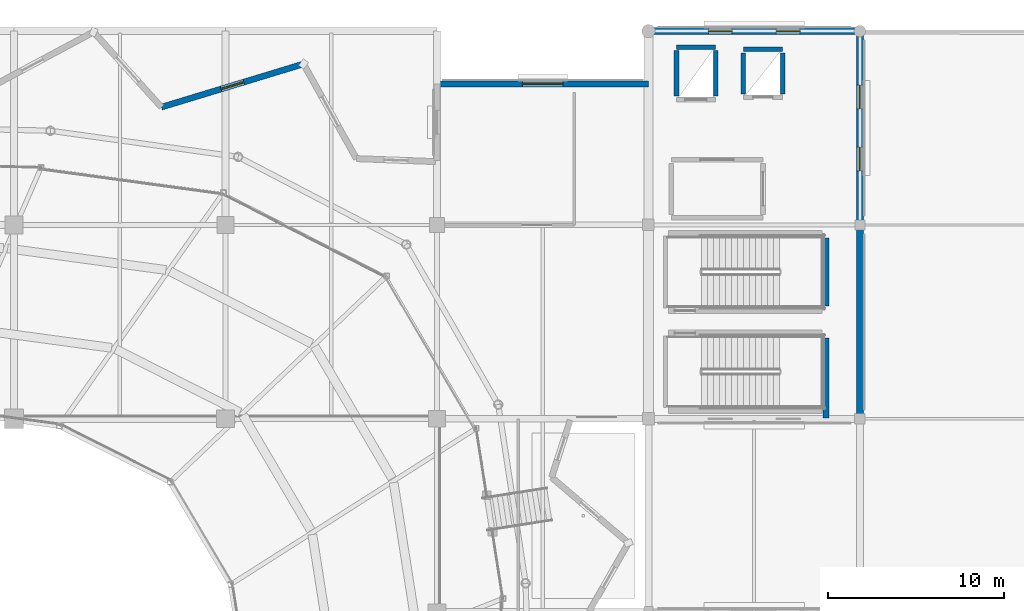
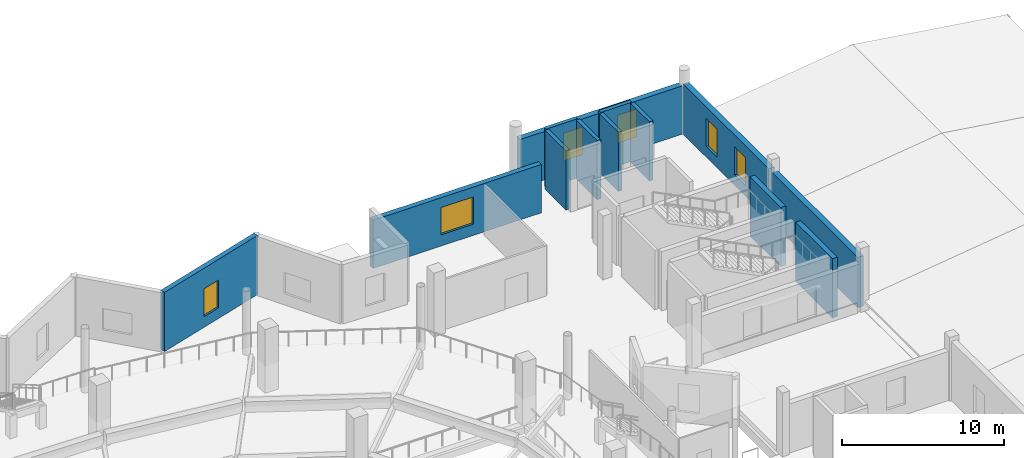
# One storey, part 59 of 77: 13 walls, 6 windows, 6 openings.
"""IFC4 building model written with IfcOpenShell, lengths in metres."""

from ifc_helpers import new_model, si_unit, direction, frame, frame_2d, origin, place, context, subcontext, project, spatial, rectangle, extrude, material, layer, layer_set, type_object, element, fill, save


model = new_model("IFC4")

# Units and contexts
model_context = context("Model", 3, precision=1e-05, world=origin(), true_north=direction((0.0, 1.0)))
body_context = subcontext(model_context, "Body", "Model", "MODEL_VIEW")
ifc_project = project(units=[si_unit("LENGTHUNIT", "METRE"), si_unit("AREAUNIT", "SQUARE_METRE"), si_unit("VOLUMEUNIT", "CUBIC_METRE"), si_unit("PLANEANGLEUNIT", "RADIAN"), si_unit("MASSUNIT", "GRAM", prefix="KILO")], contexts=[model_context])

# Site, building, storey
site_placement = place(None, origin())
site = spatial("IfcSite", under=ifc_project, at=site_placement, CompositionType="ELEMENT")
building_placement = place(site_placement, origin())
building = spatial("IfcBuilding", under=site, at=building_placement, Name="Luwafu Chhajja Arena", CompositionType="ELEMENT")
storey_placement = place(building_placement, frame((0.0, 0.0, 14.699951171875)))
storey = spatial("IfcBuildingStorey", under=building, at=storey_placement, Name="L03", CompositionType="ELEMENT", Elevation=14.699951171875)

# Walls
ifc_material_1 = material(Name="Concrete C35/45", Category="concrete")
ifc_layer_1 = layer(ifc_material_1, 0.260009765625, Name="Concrete C35/45")
ifc_layer_set_1 = layer_set([ifc_layer_1], Name="Concrete C35/45")
wall_type_1 = type_object("IfcWallType", Name="Lift and Riser Shaft Wall 260", PredefinedType="SOLIDWALL", material=ifc_layer_set_1)
wall_1_placement = place(storey_placement, frame((153.590087890625, 98.0849609375, 0.0), z_axis=(0.0, 0.0, 1.0), x_axis=(1.0, 0.0, 0.0)))
element("IfcWall", 1, at=wall_1_placement, inside=storey, type_object=wall_type_1, Name="L03 Lift LF-04 Shaft Wall N", PredefinedType="SOLIDWALL", context=body_context, shape_type="SweptSolid", body=[
    extrude(rectangle(XDim=2.219970703125, YDim=0.260009765625, at=frame_2d((1.10986328125, 0.0))), origin(), (0.0, 0.0, 1.0), 4.4599609375),
])
for number, where, z_axis, x_axis, name in (
    (2, (153.590087890625, 95.31494140625, 0.0), (0.0, 0.0, 1.0), (0.0, 1.0, 0.0), "L03 Lift LF-04 Shaft Wall W"),
    (3, (155.81005859375, 95.31494140625, 0.0), (0.0, 0.0, 1.0), (0.0, 1.0, 0.0), "L03 Lift LF-04 Shaft Wall E"),
):
    element("IfcWall", number, at=place(storey_placement, frame(where, z_axis=z_axis, x_axis=x_axis)), inside=storey, type_object=wall_type_1, Name=name, PredefinedType="SOLIDWALL", context=body_context, shape_type="SweptSolid", body=[
        extrude(rectangle(XDim=2.570068359375, YDim=0.260009765625, at=frame_2d((1.28515625, 0.0))), origin(), (0.0, 0.0, 1.0), 4.4599609375),
    ])
wall_2_placement = place(storey_placement, frame((157.389892578125, 97.9599609375, 0.0), z_axis=(0.0, 0.0, 1.0), x_axis=(1.0, 0.0, 0.0)))
element("IfcWall", 4, at=wall_2_placement, inside=storey, type_object=wall_type_1, Name="L03 Lift LF-08 Shaft Wall N", PredefinedType="SOLIDWALL", context=body_context, shape_type="SweptSolid", body=[
    extrude(rectangle(XDim=2.22021484375, YDim=0.260009765625, at=frame_2d((1.110107421875, 0.0))), origin(), (0.0, 0.0, 1.0), 4.4599609375),
])
for number, where, z_axis, x_axis, name in (
    (5, (157.389892578125, 95.43994140625, 0.0), (0.0, 0.0, 1.0), (0.0, 1.0, 0.0), "L03 Lift LF-08 Shaft Wall W"),
    (6, (159.610107421875, 95.43994140625, 0.0), (0.0, 0.0, 1.0), (0.0, 1.0, 0.0), "L03 Lift LF-08 Shaft Wall E"),
):
    element("IfcWall", number, at=place(storey_placement, frame(where, z_axis=z_axis, x_axis=x_axis)), inside=storey, type_object=wall_type_1, Name=name, PredefinedType="SOLIDWALL", context=body_context, shape_type="SweptSolid", body=[
        extrude(rectangle(XDim=2.320068359375, YDim=0.260009765625, at=frame_2d((1.16015625, 0.0))), origin(), (0.0, 0.0, 1.0), 4.4599609375),
    ])

# Wall, opening, window
ifc_material_2 = material(Name="Precast concrete C40/50", Category="concrete")
ifc_layer_2 = layer(ifc_material_2, 0.340087890625, Name="Precast concrete C40/50")
ifc_layer_set_2 = layer_set([ifc_layer_2], Name="Precast concrete C40/50")
wall_type_2 = type_object("IfcWallType", Name="Pleated Bowl V-Fold Wall 340", PredefinedType="USERDEFINED", material=ifc_layer_set_2)
wall_3_placement = place(storey_placement, frame((132.427490234375, 97.135986328125, 0.0), z_axis=(0.0, 0.0, 1.0), x_axis=(-0.956738407321, -0.290949514446, 0.0)))
wall_3 = element("IfcWall", 7, at=wall_3_placement, inside=storey, type_object=wall_type_2, Name="L03 Pleated Bowl V-Fold Wall 11", ObjectType="PLEATED FACADE WALL", PredefinedType="USERDEFINED", context=body_context, shape_type="SweptSolid", body=[
    extrude(rectangle(XDim=8.427978515625, YDim=0.340087890625, at=frame_2d((4.2138671875, 0.0))), origin(), (0.0, 0.0, 1.0), 4.455078125),
])
opening_1_placement = place(wall_3_placement, frame((3.5390625, 0.0, 0.800048828125)))
opening_1 = element("IfcOpeningElement", 8, at=opening_1_placement, cuts=wall_3, Name="Opening WN-17", PredefinedType="OPENING", context=body_context, shape_type="SweptSolid", body=[
    extrude(rectangle(XDim=1.35009765625, YDim=2.10009765625, at=frame_2d((0.675048828125, 1.050048828125))), frame((0.0, 0.179931640625, 0.0), z_axis=(0.0, -1.0, 0.0), x_axis=(1.0, 0.0, 0.0)), (0.0, 0.0, 1.0), 0.360107421875),
])
ifc_material_3 = material(Name="Solar-control laminated glass", Category="glass")
window_type_1 = type_object("IfcWindowType", Name="Exhibition Mezzanine Lancet Window 1350x2100", PartitioningType="SINGLE_PANEL", PredefinedType="WINDOW", material=ifc_material_3)
window_1_placement = place(opening_1_placement, origin())
window_1 = element("IfcWindow", 9, at=window_1_placement, inside=storey, type_object=window_type_1, Name="L03 Pleated Bowl Lancet Window 040", OverallHeight=2.10009765625, OverallWidth=1.35009765625, PartitioningType="SINGLE_PANEL", PredefinedType="WINDOW", context=body_context, shape_type="SweptSolid", body=[
    extrude(rectangle(XDim=1.35009765625, YDim=2.10009765625, at=frame_2d((0.675048828125, 1.050048828125))), frame((0.0, 0.030029296875, 0.0), z_axis=(0.0, -1.0, 0.0), x_axis=(1.0, 0.0, 0.0)), (0.0, 0.0, 1.0), 0.06005859375),
])
fill(opening_1, window_1)

# Walls
ifc_material_4 = material(Name="Concrete C40/50", Category="concrete")
ifc_layer_3 = layer(ifc_material_4, 0.35009765625, Name="Concrete C40/50")
ifc_layer_set_3 = layer_set([ifc_layer_3], Name="Concrete C40/50")
wall_type_3 = type_object("IfcWallType", Name="RC Core Shear Wall 350", PredefinedType="SOLIDWALL", material=ifc_layer_set_3)
wall_4_placement = place(storey_placement, frame((162.072021484375, 77.050048828125, 0.0), z_axis=(0.0, 0.0, 1.0), x_axis=(0.0, 1.0, 0.0)))
element("IfcWall", 10, at=wall_4_placement, inside=storey, type_object=wall_type_3, Name="L03 Stair ST-07 Core Shear Wall E", PredefinedType="SOLIDWALL", context=body_context, shape_type="SweptSolid", body=[
    extrude(rectangle(XDim=4.5400390625, YDim=0.35009765625, at=frame_2d((2.27001953125, 0.0))), origin(), (0.0, 0.0, 1.0), 4.4599609375),
])
wall_5_placement = place(storey_placement, frame((162.072021484375, 83.409912109375, 0.0), z_axis=(0.0, 0.0, 1.0), x_axis=(0.0, 1.0, 0.0)))
element("IfcWall", 11, at=wall_5_placement, inside=storey, type_object=wall_type_3, Name="L03 Stair ST-08 Core Shear Wall E", PredefinedType="SOLIDWALL", context=body_context, shape_type="SweptSolid", body=[
    extrude(rectangle(XDim=3.840087890625, YDim=0.35009765625, at=frame_2d((1.919921875, 0.0))), origin(), (0.0, 0.0, 1.0), 4.4599609375),
])
ifc_layer_4 = layer(ifc_material_4, 0.39990234375, Name="Concrete C40/50")
ifc_layer_set_4 = layer_set([ifc_layer_4], Name="Concrete C40/50")
wall_type_4 = type_object("IfcWallType", Name="RC Core Shear Wall 400", PredefinedType="SOLIDWALL", material=ifc_layer_set_4)
wall_6_placement = place(storey_placement, frame((164.0, 77.219970703125, 0.0), z_axis=(0.0, 0.0, 1.0), x_axis=(0.0, 1.0, 0.0)))
element("IfcWall", 12, at=wall_6_placement, inside=storey, type_object=wall_type_4, Name="L03 Exterior Wall WEX-L03-207", PredefinedType="SOLIDWALL", context=body_context, shape_type="SweptSolid", body=[
    extrude(rectangle(XDim=10.56005859375, YDim=0.39990234375, at=frame_2d((5.280029296875, 0.0))), origin(), (0.0, 0.0, 1.0), 3.7900390625),
])

# Wall, openings, windows
wall_7_placement = place(storey_placement, frame((152.219970703125, 99.0, 0.0), z_axis=(0.0, 0.0, 1.0), x_axis=(1.0, 0.0, 0.0)))
wall_7 = element("IfcWall", 13, at=wall_7_placement, inside=storey, type_object=wall_type_4, Name="L03 Exterior Wall WEX-L03-208", PredefinedType="SOLIDWALL", context=body_context, shape_type="SweptSolid", body=[
    extrude(rectangle(XDim=11.56005859375, YDim=0.39990234375, at=frame_2d((5.780029296875, 0.0))), origin(), (0.0, 0.0, 1.0), 3.64013671875),
])
opening_2_placement = place(wall_7_placement, frame((3.17822265625, 0.0, 0.800048828125)))
opening_2 = element("IfcOpeningElement", 14, at=opening_2_placement, cuts=wall_7, Name="Opening WN-17", PredefinedType="OPENING", context=body_context, shape_type="SweptSolid", body=[
    extrude(rectangle(XDim=1.35009765625, YDim=2.10009765625, at=frame_2d((0.675048828125, 1.050048828125))), frame((0.0, 0.2099609375, 0.0), z_axis=(0.0, -1.0, 0.0), x_axis=(1.0, 0.0, 0.0)), (0.0, 0.0, 1.0), 0.419921875),
])
opening_3_placement = place(wall_7_placement, frame((7.03173828125, 0.0, 0.800048828125)))
opening_3 = element("IfcOpeningElement", 15, at=opening_3_placement, cuts=wall_7, Name="Opening WN-17", PredefinedType="OPENING", context=body_context, shape_type="SweptSolid", body=[
    extrude(rectangle(XDim=1.35009765625, YDim=2.10009765625, at=frame_2d((0.675048828125, 1.050048828125))), frame((0.0, 0.2099609375, 0.0), z_axis=(0.0, -1.0, 0.0), x_axis=(1.0, 0.0, 0.0)), (0.0, 0.0, 1.0), 0.419921875),
])
window_2_placement = place(opening_2_placement, origin())
window_2 = element("IfcWindow", 16, at=window_2_placement, inside=storey, type_object=window_type_1, Name="L03 Facade Window 162", OverallHeight=2.10009765625, OverallWidth=1.35009765625, PartitioningType="SINGLE_PANEL", PredefinedType="WINDOW", context=body_context, shape_type="SweptSolid", body=[
    extrude(rectangle(XDim=1.35009765625, YDim=2.10009765625, at=frame_2d((0.675048828125, 1.050048828125))), frame((0.0, 0.030029296875, 0.0), z_axis=(0.0, -1.0, 0.0), x_axis=(1.0, 0.0, 0.0)), (0.0, 0.0, 1.0), 0.06005859375),
])
fill(opening_2, window_2)
window_3_placement = place(opening_3_placement, origin())
window_3 = element("IfcWindow", 17, at=window_3_placement, inside=storey, type_object=window_type_1, Name="L03 Facade Window 163", OverallHeight=2.10009765625, OverallWidth=1.35009765625, PartitioningType="SINGLE_PANEL", PredefinedType="WINDOW", context=body_context, shape_type="SweptSolid", body=[
    extrude(rectangle(XDim=1.35009765625, YDim=2.10009765625, at=frame_2d((0.675048828125, 1.050048828125))), frame((0.0, 0.030029296875, 0.0), z_axis=(0.0, -1.0, 0.0), x_axis=(1.0, 0.0, 0.0)), (0.0, 0.0, 1.0), 0.06005859375),
])
fill(opening_3, window_3)

wall_8_placement = place(storey_placement, frame((164.0, 88.219970703125, 0.0), z_axis=(0.0, 0.0, 1.0), x_axis=(0.0, 1.0, 0.0)))
wall_8 = element("IfcWall", 18, at=wall_8_placement, inside=storey, type_object=wall_type_4, Name="L03 Exterior Wall WEX-L03-209", PredefinedType="SOLIDWALL", context=body_context, shape_type="SweptSolid", body=[
    extrude(rectangle(XDim=10.56005859375, YDim=0.39990234375, at=frame_2d((5.280029296875, 0.0))), origin(), (0.0, 0.0, 1.0), 3.7900390625),
])
opening_4_placement = place(wall_8_placement, frame((2.844970703125, 0.0, 0.800048828125)))
opening_4 = element("IfcOpeningElement", 19, at=opening_4_placement, cuts=wall_8, Name="Opening WN-17", PredefinedType="OPENING", context=body_context, shape_type="SweptSolid", body=[
    extrude(rectangle(XDim=1.35009765625, YDim=2.10009765625, at=frame_2d((0.675048828125, 1.050048828125))), frame((0.0, 0.2099609375, 0.0), z_axis=(0.0, -1.0, 0.0), x_axis=(1.0, 0.0, 0.0)), (0.0, 0.0, 1.0), 0.419921875),
])
opening_5_placement = place(wall_8_placement, frame((6.364990234375, 0.0, 0.800048828125)))
opening_5 = element("IfcOpeningElement", 20, at=opening_5_placement, cuts=wall_8, Name="Opening WN-17", PredefinedType="OPENING", context=body_context, shape_type="SweptSolid", body=[
    extrude(rectangle(XDim=1.35009765625, YDim=2.10009765625, at=frame_2d((0.675048828125, 1.050048828125))), frame((0.0, 0.2099609375, 0.0), z_axis=(0.0, -1.0, 0.0), x_axis=(1.0, 0.0, 0.0)), (0.0, 0.0, 1.0), 0.419921875),
])
window_4_placement = place(opening_4_placement, origin())
window_4 = element("IfcWindow", 21, at=window_4_placement, inside=storey, type_object=window_type_1, Name="L03 Facade Window 164", OverallHeight=2.10009765625, OverallWidth=1.35009765625, PartitioningType="SINGLE_PANEL", PredefinedType="WINDOW", context=body_context, shape_type="SweptSolid", body=[
    extrude(rectangle(XDim=1.35009765625, YDim=2.10009765625, at=frame_2d((0.675048828125, 1.050048828125))), frame((0.0, 0.030029296875, 0.0), z_axis=(0.0, -1.0, 0.0), x_axis=(1.0, 0.0, 0.0)), (0.0, 0.0, 1.0), 0.06005859375),
])
fill(opening_4, window_4)
window_5_placement = place(opening_5_placement, origin())
window_5 = element("IfcWindow", 22, at=window_5_placement, inside=storey, type_object=window_type_1, Name="L03 Facade Window 165", OverallHeight=2.10009765625, OverallWidth=1.35009765625, PartitioningType="SINGLE_PANEL", PredefinedType="WINDOW", context=body_context, shape_type="SweptSolid", body=[
    extrude(rectangle(XDim=1.35009765625, YDim=2.10009765625, at=frame_2d((0.675048828125, 1.050048828125))), frame((0.0, 0.030029296875, 0.0), z_axis=(0.0, -1.0, 0.0), x_axis=(1.0, 0.0, 0.0)), (0.0, 0.0, 1.0), 0.06005859375),
])
fill(opening_5, window_5)

# Wall, opening, window
ifc_layer_5 = layer(ifc_material_1, 0.360107421875, Name="Concrete C35/45")
ifc_layer_set_5 = layer_set([ifc_layer_5], Name="Concrete C35/45")
wall_type_5 = type_object("IfcWallType", Name="Sandstone Backed Exterior Wall 360", PredefinedType="SOLIDWALL", material=ifc_layer_set_5)
wall_9_placement = place(storey_placement, frame((140.0, 96.0, 0.0), z_axis=(0.0, 0.0, 1.0), x_axis=(1.0, 0.0, 0.0)))
wall_9 = element("IfcWall", 23, at=wall_9_placement, inside=storey, type_object=wall_type_5, Name="L03 Exterior Wall WEX-L03-196", PredefinedType="SOLIDWALL", context=body_context, shape_type="SweptSolid", body=[
    extrude(rectangle(XDim=12.0, YDim=0.360107421875, at=frame_2d((6.0, 0.0))), origin(), (0.0, 0.0, 1.0), 3.64013671875),
])
opening_6_placement = place(wall_9_placement, frame((4.85009765625, 0.0, 0.85009765625)))
opening_6 = element("IfcOpeningElement", 24, at=opening_6_placement, cuts=wall_9, Name="Opening WN-19", PredefinedType="OPENING", context=body_context, shape_type="SweptSolid", body=[
    extrude(rectangle(XDim=2.300048828125, YDim=2.050048828125, at=frame_2d((1.14990234375, 1.02490234375))), frame((0.0, 0.18994140625, 0.0), z_axis=(0.0, -1.0, 0.0), x_axis=(1.0, 0.0, 0.0)), (0.0, 0.0, 1.0), 0.380126953125),
])
window_type_2 = type_object("IfcWindowType", Name="Supporters Lounge Arch-Head Window 2300x2050", PartitioningType="SINGLE_PANEL", PredefinedType="WINDOW", material=ifc_material_3)
window_6_placement = place(opening_6_placement, origin())
window_6 = element("IfcWindow", 25, at=window_6_placement, inside=storey, type_object=window_type_2, Name="L03 Facade Window 144", OverallHeight=2.050048828125, OverallWidth=2.300048828125, PartitioningType="SINGLE_PANEL", PredefinedType="WINDOW", context=body_context, shape_type="SweptSolid", body=[
    extrude(rectangle(XDim=2.300048828125, YDim=2.050048828125, at=frame_2d((1.14990234375, 1.02490234375))), frame((0.0, 0.030029296875, 0.0), z_axis=(0.0, -1.0, 0.0), x_axis=(1.0, 0.0, 0.0)), (0.0, 0.0, 1.0), 0.06005859375),
])
fill(opening_6, window_6)

save(model, "model.ifc")
